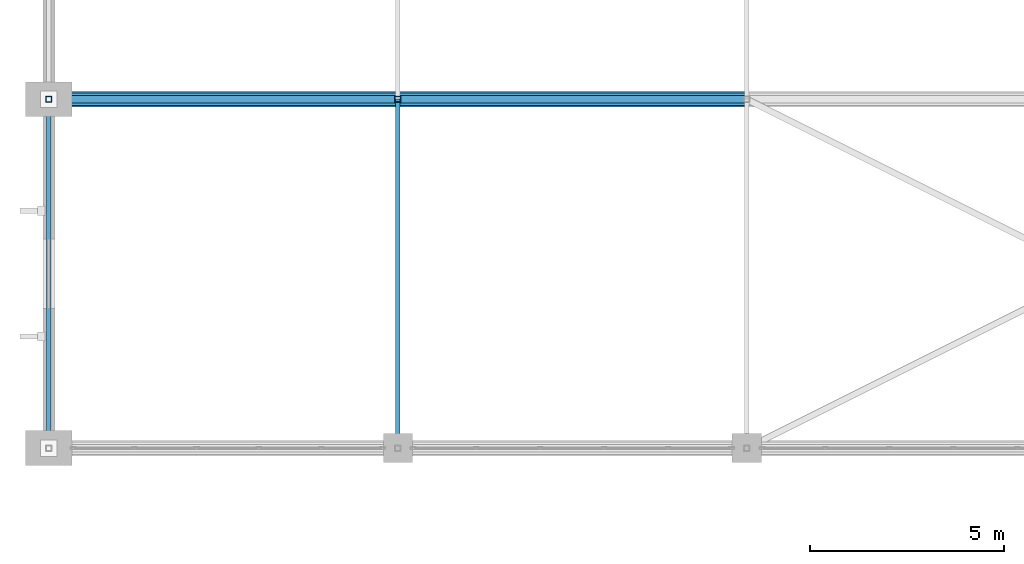
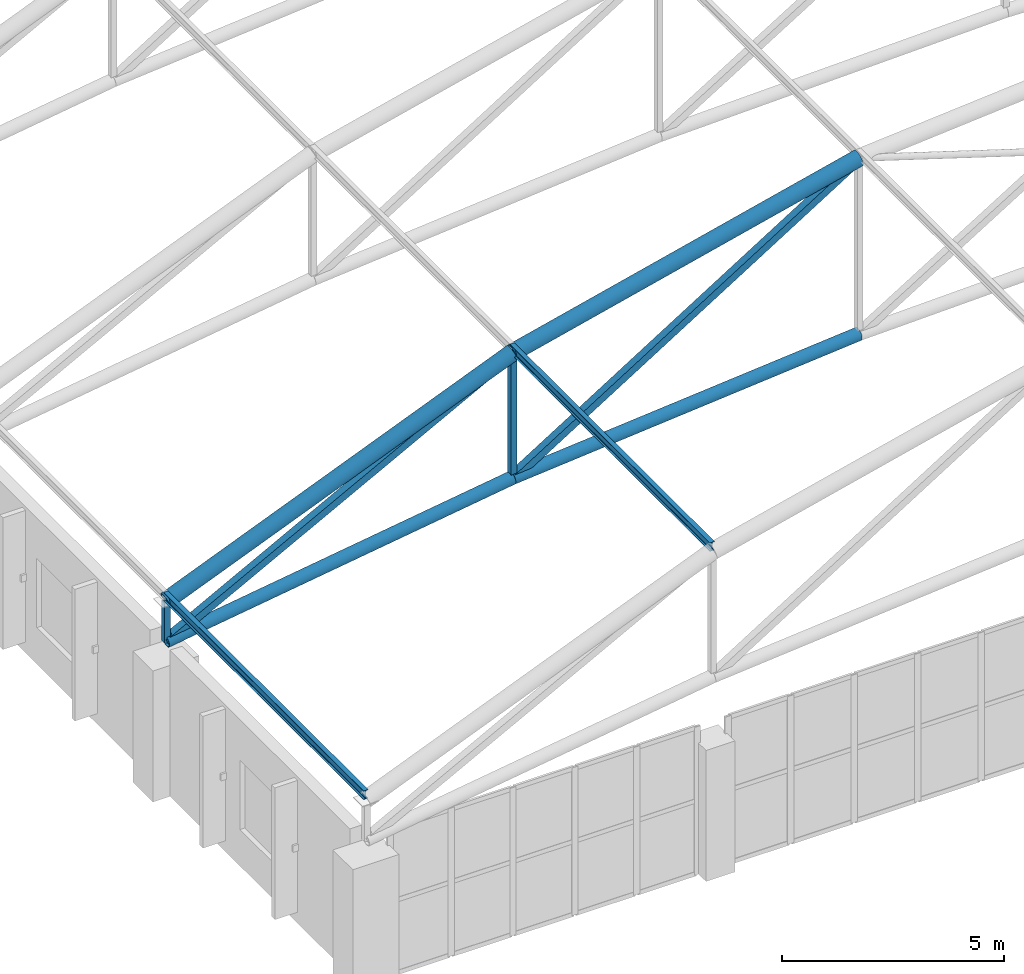
# One storey, part 6 of 167: 10 members.
"""IFC4 building model written with IfcOpenShell, lengths in metres."""

from ifc_helpers import new_model, si_unit, direction, frame, origin, origin_2d, place, context, subcontext, project, spatial, hollow_rectangle, hollow_circle, i_section, extrude, material, material_profile, profile_set, type_object, element, save


model = new_model("IFC4")

# Units and contexts
model_context = context("Model", 3, precision=1e-05, world=origin(), true_north=direction((0.0, 1.0)))
body_context = subcontext(model_context, "Body", "Model", "MODEL_VIEW")
ifc_project = project(units=[si_unit("LENGTHUNIT", "METRE"), si_unit("AREAUNIT", "SQUARE_METRE"), si_unit("VOLUMEUNIT", "CUBIC_METRE"), si_unit("PLANEANGLEUNIT", "RADIAN"), si_unit("MASSUNIT", "GRAM", prefix="KILO")], contexts=[model_context])

# Site, building, storey
site_placement = place(None, origin())
site = spatial("IfcSite", under=ifc_project, at=site_placement, CompositionType="ELEMENT")
building_placement = place(site_placement, origin())
building = spatial("IfcBuilding", under=site, at=building_placement, Name="Dornveld Trade and Exhibition Forum", CompositionType="ELEMENT")
storey_placement = place(building_placement, frame((0.0, 0.0, 16.800048828125)))
storey = spatial("IfcBuildingStorey", under=building, at=storey_placement, Name="L03", CompositionType="ELEMENT", Elevation=16.800048828125)

# Members
ifc_material_1 = material(Name="Steel S355J2", Category="steel")
ifc_material_profile_1 = material_profile(ifc_material_1, hollow_circle(Radius=0.161865234375, WallThickness=0.01611328125, at=origin_2d()), Name="CHS 323.9x16")
ifc_profile_set_1 = profile_set([ifc_material_profile_1], Name="Steel S355J2")
member_type_1 = type_object("IfcMemberType", Name="MEM-ARCH-BC", PredefinedType="CHORD", material=ifc_profile_set_1)
member_1_placement = place(storey_placement, frame((27.0, 45.0, 3.949951171875), z_axis=(0.989204758987, 0.0, 0.146539908551), x_axis=(0.0, 1.0, 0.0)))
element("IfcMember", 1, at=member_1_placement, inside=storey, type_object=member_type_1, Name="H3 truss 2 tie chord 1", PredefinedType="CHORD", context=body_context, shape_type="SweptSolid", body=[
    extrude(hollow_circle(Radius=0.161865234375, WallThickness=0.01611328125, at=origin_2d()), origin(), (0.0, 0.0, 1.0), 9.09814453125),
])
member_2_placement = place(storey_placement, frame((36.0, 45.0, 5.283203125), z_axis=(0.996072164085, 0.0, 0.088545151956), x_axis=(0.0, 1.0, 0.0)))
element("IfcMember", 2, at=member_2_placement, inside=storey, type_object=member_type_1, Name="H3 truss 2 tie chord 2", PredefinedType="CHORD", context=body_context, shape_type="SweptSolid", body=[
    extrude(hollow_circle(Radius=0.161865234375, WallThickness=0.01611328125, at=origin_2d()), origin(), (0.0, 0.0, 1.0), 9.035400390625),
])
ifc_material_2 = material(Name="Steel S355J2", Category="steel")
ifc_material_profile_2 = material_profile(ifc_material_2, hollow_rectangle(XDim=0.14990234375, YDim=0.14990234375, WallThickness=0.008056640625, at=origin_2d()), Name="SHS 150x150x8")
ifc_profile_set_2 = profile_set([ifc_material_profile_2], Name="Steel S355J2")
member_type_2 = type_object("IfcMemberType", Name="MEM-ARCH-STR", PredefinedType="STRUT", material=ifc_profile_set_2)
member_3_placement = place(storey_placement, frame((27.0, 45.0, 3.949951171875), z_axis=(0.0, 0.0, 1.0), x_axis=(1.0, 0.0, 0.0)))
element("IfcMember", 3, at=member_3_placement, inside=storey, type_object=member_type_2, Name="H3 truss 2 strut 1", PredefinedType="STRUT", context=body_context, shape_type="SweptSolid", body=[
    extrude(hollow_rectangle(XDim=0.14990234375, YDim=0.14990234375, WallThickness=0.008056640625, at=origin_2d()), origin(), (0.0, 0.0, 1.0), 1.10009765625),
])
member_4_placement = place(storey_placement, frame((36.0, 45.0, 5.283203125), z_axis=(0.0, 0.0, 1.0), x_axis=(1.0, 0.0, 0.0)))
element("IfcMember", 4, at=member_4_placement, inside=storey, type_object=member_type_2, Name="H3 truss 2 strut 2", PredefinedType="STRUT", context=body_context, shape_type="SweptSolid", body=[
    extrude(hollow_rectangle(XDim=0.14990234375, YDim=0.14990234375, WallThickness=0.008056640625, at=origin_2d()), origin(), (0.0, 0.0, 1.0), 3.433349609375),
])
ifc_material_3 = material(Name="Steel S355J2", Category="steel")
ifc_material_profile_3 = material_profile(ifc_material_3, hollow_circle(Radius=0.203125, WallThickness=0.02001953125, at=origin_2d()), Name="CHS 406.4x20")
ifc_profile_set_3 = profile_set([ifc_material_profile_3], Name="Steel S355J2")
member_type_3 = type_object("IfcMemberType", Name="MEM-ARCH-TC", PredefinedType="CHORD", material=ifc_profile_set_3)
member_5_placement = place(storey_placement, frame((27.0, 45.0, 5.050048828125), z_axis=(0.926098211611, 0.0, 0.377282523383), x_axis=(0.0, 1.0, 0.0)))
element("IfcMember", 5, at=member_5_placement, inside=storey, type_object=member_type_3, Name="H3 truss 2 top chord 1", PredefinedType="CHORD", context=body_context, shape_type="SweptSolid", body=[
    extrude(hollow_circle(Radius=0.203125, WallThickness=0.02001953125, at=origin_2d()), origin(), (0.0, 0.0, 1.0), 9.71826171875),
])
member_6_placement = place(storey_placement, frame((36.0, 45.0, 8.716552734375), z_axis=(0.971394143806, 0.0, 0.237472982421), x_axis=(0.0, 1.0, 0.0)))
element("IfcMember", 6, at=member_6_placement, inside=storey, type_object=member_type_3, Name="H3 truss 2 top chord 2", PredefinedType="CHORD", context=body_context, shape_type="SweptSolid", body=[
    extrude(hollow_circle(Radius=0.203125, WallThickness=0.02001953125, at=origin_2d()), origin(), (0.0, 0.0, 1.0), 9.26513671875),
])
ifc_material_4 = material(Name="Steel S355J2", Category="steel")
ifc_material_profile_4 = material_profile(ifc_material_4, hollow_rectangle(XDim=0.199951171875, YDim=0.199951171875, WallThickness=0.010009765625, at=origin_2d()), Name="SHS 200x200x10")
ifc_profile_set_4 = profile_set([ifc_material_profile_4], Name="Steel S355J2")
member_type_4 = type_object("IfcMemberType", Name="MEM-ARCH-WEB", PredefinedType="BRACE", material=ifc_profile_set_4)
member_7_placement = place(storey_placement, frame((27.0, 45.0, 3.949951171875), z_axis=(0.883710934211, 0.0, 0.468033102201), x_axis=(0.0, 1.0, 0.0)))
element("IfcMember", 7, at=member_7_placement, inside=storey, type_object=member_type_4, Name="H3 truss 2 web 1", PredefinedType="BRACE", context=body_context, shape_type="SweptSolid", body=[
    extrude(hollow_rectangle(XDim=0.199951171875, YDim=0.199951171875, WallThickness=0.010009765625, at=origin_2d()), origin(), (0.0, 0.0, 1.0), 10.184326171875),
])
member_8_placement = place(storey_placement, frame((36.0, 45.0, 5.283203125), z_axis=(0.84763640931, 0.0, 0.53057753214), x_axis=(0.0, 1.0, 0.0)))
element("IfcMember", 8, at=member_8_placement, inside=storey, type_object=member_type_4, Name="H3 truss 2 web 2", PredefinedType="BRACE", context=body_context, shape_type="SweptSolid", body=[
    extrude(hollow_rectangle(XDim=0.199951171875, YDim=0.199951171875, WallThickness=0.010009765625, at=origin_2d()), origin(), (0.0, 0.0, 1.0), 10.61767578125),
])
ifc_material_5 = material(Name="Steel S355J2", Category="steel")
ifc_material_profile_5 = material_profile(ifc_material_5, i_section(OverallWidth=0.1201171875, OverallDepth=0.239990234375, WebThickness=0.006103515625, FlangeThickness=0.009765625, FilletRadius=0.014892578125, at=origin_2d()), Name="IPE 240")
ifc_profile_set_5 = profile_set([ifc_material_profile_5], Name="Steel S355J2")
member_type_5 = type_object("IfcMemberType", Name="MEM-PURLIN-240", PredefinedType="PURLIN", material=ifc_profile_set_5)
for number, where, z_axis, x_axis, name in (
    (9, (27.0, 36.0, 5.181884765625), (0.0, 1.0, 0.0), (-1.0, 0.0, 0.0), "H3 bay 1 roof purlin 1"),
    (10, (36.0, 36.0, 8.8486328125), (0.0, 1.0, 0.0), (-1.0, 0.0, 0.0), "H3 bay 1 roof purlin 2"),
):
    element("IfcMember", number, at=place(storey_placement, frame(where, z_axis=z_axis, x_axis=x_axis)), inside=storey, type_object=member_type_5, Name=name, PredefinedType="PURLIN", context=body_context, shape_type="SweptSolid", body=[
        extrude(i_section(OverallWidth=0.1201171875, OverallDepth=0.239990234375, WebThickness=0.006103515625, FlangeThickness=0.009765625, FilletRadius=0.014892578125, at=origin_2d()), origin(), (0.0, 0.0, 1.0), 9.0),
    ])

save(model, "model.ifc")
